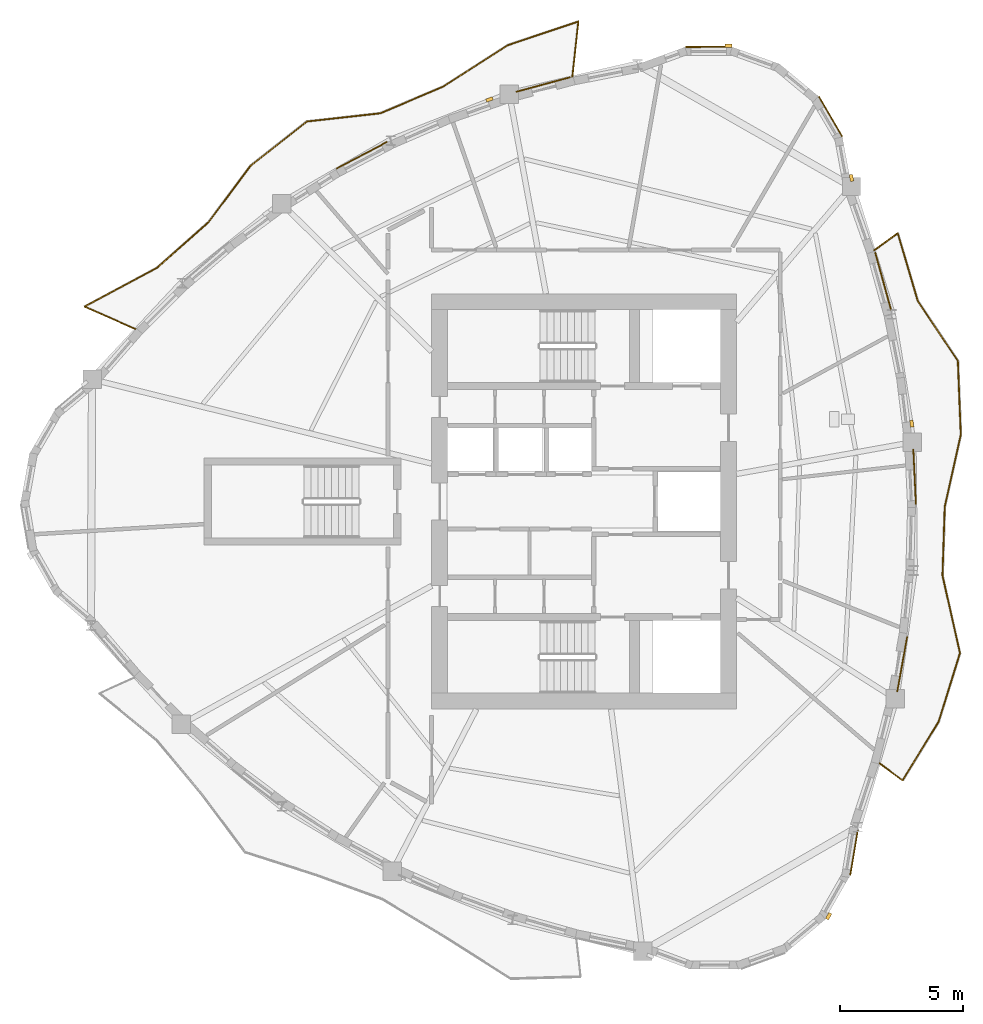
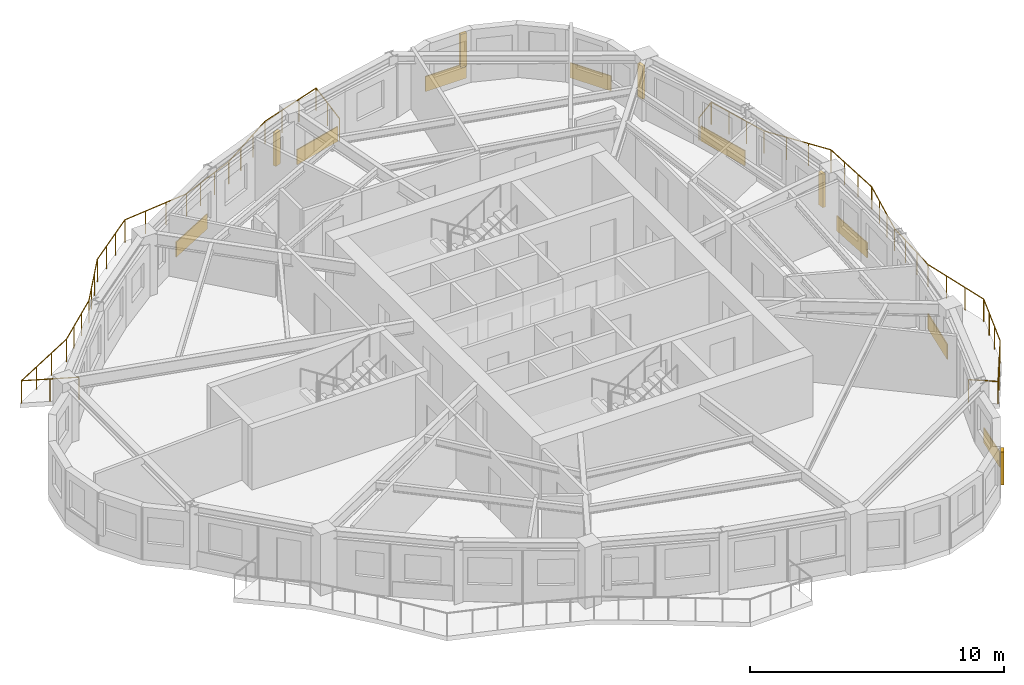
# One storey, part 11 of 12: 8 coverings, 5 shading devices, 2 railings.
"""IFC4 building model written with IfcOpenShell, lengths in metres."""

from ifc_helpers import new_model, si_unit, direction, frame, origin, origin_2d, place, context, subcontext, project, spatial, rectangle, circle, extrude, source, transform, mapped, material, layer, layer_set, type_object, element, save


model = new_model("IFC4")

# Units and contexts
model_context = context("Model", 3, precision=1e-05, world=origin(), true_north=direction((0.0, 1.0)))
body_context = subcontext(model_context, "Body", "Model", "MODEL_VIEW")
ifc_project = project(units=[si_unit("LENGTHUNIT", "METRE"), si_unit("AREAUNIT", "SQUARE_METRE"), si_unit("VOLUMEUNIT", "CUBIC_METRE"), si_unit("PLANEANGLEUNIT", "RADIAN"), si_unit("MASSUNIT", "GRAM", prefix="KILO")], contexts=[model_context])

# Site, building, storey
site_placement = place(None, origin())
site = spatial("IfcSite", under=ifc_project, at=site_placement, CompositionType="ELEMENT")
building_placement = place(site_placement, origin())
building = spatial("IfcBuilding", under=site, at=building_placement, Name="Qafzar Sky-Pleat Residences", CompositionType="ELEMENT")
storey_placement = place(building_placement, frame((0.0, 0.0, 184.199951171875)))
storey = spatial("IfcBuildingStorey", under=building, at=storey_placement, Name="L55", CompositionType="ELEMENT", Elevation=184.199951171875)

# Shading devices
ifc_material_1 = material(Name="Honed Riyadh limestone solar fin", Category="masonry")
ifc_layer_1 = layer(ifc_material_1, 0.139892578125)
ifc_layer_set_1 = layer_set([ifc_layer_1], Name="Honed Riyadh limestone solar fin")
shading_device_type = type_object("IfcShadingDeviceType", Name="SHD-FIN-STONE", PredefinedType="SHUTTER", material=ifc_layer_set_1)
shared_shape_1 = source(origin(), body_context, "Body", "SweptSolid", [
    extrude(rectangle(XDim=0.139892578125, YDim=0.280029296875, at=origin_2d()), origin(), (0.0, 0.0, 1.0), 1.60009765625),
])
for number, where, z_axis, x_axis, name in (
    (1, (40.29931640625, 9.130615234375, 0.60009765625), (0.0, 0.0, 1.0), (0.86845497166, -0.495768052821, 0.0), "L55 Limestone Solar Fin 21"),
    (2, (43.679443359375, 29.165771484375, 0.60009765625), (0.0, 0.0, 1.0), (0.992414501164, 0.122936804413, 0.0), "L55 Limestone Solar Fin 29"),
    (3, (41.230224609375, 39.16259765625, 0.60009765625), (0.0, 0.0, 1.0), (0.983217119636, 0.182439293069, 0.0), "L55 Limestone Solar Fin 33"),
    (4, (36.220458984375, 44.535888671875, 0.60009765625), (0.0, 0.0, 1.0), (-0.002443882984, 0.999997013714, 0.0), "L55 Limestone Solar Fin 37"),
    (5, (26.502685546875, 42.352294921875, 0.60009765625), (0.0, 0.0, 1.0), (-0.329527154717, 0.944146097966, 0.0), "L55 Limestone Solar Fin 41"),
):
    element("IfcShadingDevice", number, at=place(storey_placement, frame(where, z_axis=z_axis, x_axis=x_axis)), inside=storey, type_object=shading_device_type, Name=name, PredefinedType="SHUTTER", context=body_context, shape_type="MappedRepresentation", body=[
        mapped(shared_shape_1, transform((0.0, 0.0, 0.0), x_axis=(1.0, 0.0, 0.0), y_axis=(0.0, 1.0, 0.0), z_axis=(0.0, 0.0, 1.0), scale=1.0)),
    ])

# Coverings
ifc_material_2 = material(Name="Honed Riyadh Tuwaiq limestone cladding", Category="masonry")
ifc_layer_2 = layer(ifc_material_2, 0.044921875)
ifc_layer_set_2 = layer_set([ifc_layer_2], Name="Honed Riyadh Tuwaiq limestone cladding")
covering_type = type_object("IfcCoveringType", Name="COV-CLAD-STONE", PredefinedType="CLADDING", material=ifc_layer_set_2)
shared_shape_2 = source(origin(), body_context, "Body", "SweptSolid", [
    extrude(rectangle(XDim=1.845703125, YDim=0.044921875, at=origin_2d()), origin(), (0.0, 0.0, 1.0), 0.719970703125),
])
covering_1_placement = place(storey_placement, frame((41.3310546875, 11.714599609375, 0.02001953125), z_axis=(0.0, 0.0, 1.0), x_axis=(0.165687701877, 0.98617827265, 0.0)))
element("IfcCovering", 6, at=covering_1_placement, inside=storey, type_object=covering_type, Name="L55 Riyadh Limestone Spandrel Cladding 22", PredefinedType="CLADDING", context=body_context, shape_type="MappedRepresentation", body=[
    mapped(shared_shape_2, transform((0.0, 0.0, 0.0), x_axis=(1.0, 0.0, 0.0), y_axis=(0.0, 1.0, 0.0), z_axis=(0.0, 0.0, 1.0), scale=1.0)),
])
shared_shape_3 = source(origin(), body_context, "Body", "SweptSolid", [
    extrude(rectangle(XDim=1.872802734375, YDim=0.044921875, at=origin_2d()), origin(), (0.0, 0.0, 1.0), 0.719970703125),
])
for number, where, z_axis, x_axis, name in (
    (7, (40.374755859375, 41.65966796875, 0.02001953125), (0.0, 0.0, 1.0), (-0.506268159892, 0.862376107206, 0.0), "L55 Riyadh Limestone Spandrel Cladding 34"),
    (8, (35.41552734375, 44.49072265625, 0.02001953125), (0.0, 0.0, 1.0), (-0.999996996938, -0.002450737482, 0.0), "L55 Riyadh Limestone Spandrel Cladding 37"),
):
    element("IfcCovering", number, at=place(storey_placement, frame(where, z_axis=z_axis, x_axis=x_axis)), inside=storey, type_object=covering_type, Name=name, PredefinedType="CLADDING", context=body_context, shape_type="MappedRepresentation", body=[
        mapped(shared_shape_3, transform((0.0, 0.0, 0.0), x_axis=(1.0, 0.0, 0.0), y_axis=(0.0, 1.0, 0.0), z_axis=(0.0, 0.0, 1.0), scale=1.0)),
    ])

# Railings
ifc_material_3 = material(Name="Laminated glass and bronze steel balustrade", Category="steel")
railing_type = type_object("IfcRailingType", Name="RAIL-BAL-1100", PredefinedType="BALUSTRADE", material=ifc_material_3)
shared_shape_4 = source(origin(), body_context, "Body", "SweptSolid", [
    extrude(circle(Radius=0.02392578125, at=origin_2d()), frame((0.0, 0.0, 1.076171875), z_axis=(0.803344244753, -0.595514923761, 0.0), x_axis=(0.595514923761, 0.803344244753, 0.0)), (0.0, 0.0, 1.0), 1.17822265625),
    extrude(circle(Radius=0.02392578125, at=origin_2d()), frame((0.946533203125, -0.70166015625, 1.076171875), z_axis=(0.524043900996, 0.851691252643, 0.0), x_axis=(-0.851691252643, 0.524043900996, 0.0)), (0.0, 0.0, 1.0), 2.799560546875),
    extrude(circle(Radius=0.02392578125, at=origin_2d()), frame((2.41357421875, 1.6826171875, 1.076171875), z_axis=(0.297102031568, 0.954845737718, 0.0), x_axis=(-0.954845737718, 0.297102031568, 0.0)), (0.0, 0.0, 1.0), 2.927978515625),
    extrude(circle(Radius=0.02392578125, at=origin_2d()), frame((3.283447265625, 4.478271484375, 1.076171875), z_axis=(-0.220191340545, 0.975456699987, 0.0), x_axis=(-0.975456699987, -0.220191340545, 0.0)), (0.0, 0.0, 1.0), 3.233154296875),
    extrude(circle(Radius=0.02392578125, at=origin_2d()), frame((2.571533203125, 7.632080078125, 1.076171875), z_axis=(0.032842031659, 0.999460554978, 0.0), x_axis=(-0.999460554978, 0.032842031659, 0.0)), (0.0, 0.0, 1.0), 2.802490234375),
    extrude(circle(Radius=0.02392578125, at=origin_2d()), frame((2.66357421875, 10.43310546875, 1.076171875), z_axis=(0.218052764742, 0.975936981464, 0.0), x_axis=(-0.975936981464, 0.218052764742, 0.0)), (0.0, 0.0, 1.0), 2.993896484375),
    extrude(circle(Radius=0.02392578125, at=origin_2d()), frame((3.31640625, 13.35498046875, 1.076171875), z_axis=(-0.039563320721, 0.999217065333, 0.0), x_axis=(-0.999217065333, -0.039563320721, 0.0)), (0.0, 0.0, 1.0), 3.011474609375),
    extrude(circle(Radius=0.02392578125, at=origin_2d()), frame((3.197265625, 16.364013671875, 1.076171875), z_axis=(-0.556427990437, 0.830895836708, 0.0), x_axis=(-0.830895836708, -0.556427990437, 0.0)), (0.0, 0.0, 1.0), 2.9326171875),
    extrude(circle(Radius=0.02392578125, at=origin_2d()), frame((1.5654296875, 18.80078125, 1.076171875), z_axis=(-0.283155955018, 0.959073878874, 0.0), x_axis=(-0.959073878874, -0.283155955018, 0.0)), (0.0, 0.0, 1.0), 2.87109375),
    extrude(circle(Radius=0.02392578125, at=origin_2d()), frame((0.75244140625, 21.554443359375, 1.076171875), z_axis=(-0.810712015168, -0.585445154103, 0.0), x_axis=(0.585445154103, -0.810712015168, 0.0)), (0.0, 0.0, 1.0), 1.177978515625),
    extrude(circle(Radius=0.02099609375, at=origin_2d()), origin(), (0.0, 0.0, 1.0), 1.052001953125),
    extrude(circle(Radius=0.02099609375, at=origin_2d()), frame((0.946533203125, -0.70166015625, 0.0)), (0.0, 0.0, 1.0), 1.052001953125),
    extrude(circle(Radius=0.02099609375, at=origin_2d()), frame((1.435546875, 0.093017578125, 0.0)), (0.0, 0.0, 1.0), 1.052001953125),
    extrude(circle(Radius=0.02099609375, at=origin_2d()), frame((1.924560546875, 0.887939453125, 0.0)), (0.0, 0.0, 1.0), 1.052001953125),
    extrude(circle(Radius=0.02099609375, at=origin_2d()), frame((2.41357421875, 1.6826171875, 0.0)), (0.0, 0.0, 1.0), 1.052001953125),
    extrude(circle(Radius=0.02099609375, at=origin_2d()), frame((2.70361328125, 2.614501953125, 0.0)), (0.0, 0.0, 1.0), 1.052001953125),
    extrude(circle(Radius=0.02099609375, at=origin_2d()), frame((2.993408203125, 3.54638671875, 0.0)), (0.0, 0.0, 1.0), 1.052001953125),
    extrude(circle(Radius=0.02099609375, at=origin_2d()), frame((3.283447265625, 4.478271484375, 0.0)), (0.0, 0.0, 1.0), 1.052001953125),
    extrude(circle(Radius=0.02099609375, at=origin_2d()), frame((3.046142578125, 5.529541015625, 0.0)), (0.0, 0.0, 1.0), 1.052001953125),
    extrude(circle(Radius=0.02099609375, at=origin_2d()), frame((2.808837890625, 6.580810546875, 0.0)), (0.0, 0.0, 1.0), 1.052001953125),
    extrude(circle(Radius=0.02099609375, at=origin_2d()), frame((2.571533203125, 7.632080078125, 0.0)), (0.0, 0.0, 1.0), 1.052001953125),
    extrude(circle(Radius=0.02099609375, at=origin_2d()), frame((2.602294921875, 8.565673828125, 0.0)), (0.0, 0.0, 1.0), 1.052001953125),
    extrude(circle(Radius=0.02099609375, at=origin_2d()), frame((2.6328125, 9.49951171875, 0.0)), (0.0, 0.0, 1.0), 1.052001953125),
    extrude(circle(Radius=0.02099609375, at=origin_2d()), frame((2.66357421875, 10.43310546875, 0.0)), (0.0, 0.0, 1.0), 1.052001953125),
    extrude(circle(Radius=0.02099609375, at=origin_2d()), frame((2.881103515625, 11.406982421875, 0.0)), (0.0, 0.0, 1.0), 1.052001953125),
    extrude(circle(Radius=0.02099609375, at=origin_2d()), frame((3.098876953125, 12.381103515625, 0.0)), (0.0, 0.0, 1.0), 1.052001953125),
    extrude(circle(Radius=0.02099609375, at=origin_2d()), frame((3.31640625, 13.35498046875, 0.0)), (0.0, 0.0, 1.0), 1.052001953125),
    extrude(circle(Radius=0.02099609375, at=origin_2d()), frame((3.276611328125, 14.35791015625, 0.0)), (0.0, 0.0, 1.0), 1.052001953125),
    extrude(circle(Radius=0.02099609375, at=origin_2d()), frame((3.237060546875, 15.361083984375, 0.0)), (0.0, 0.0, 1.0), 1.052001953125),
    extrude(circle(Radius=0.02099609375, at=origin_2d()), frame((3.197265625, 16.364013671875, 0.0)), (0.0, 0.0, 1.0), 1.052001953125),
    extrude(circle(Radius=0.02099609375, at=origin_2d()), frame((2.6533203125, 17.17626953125, 0.0)), (0.0, 0.0, 1.0), 1.052001953125),
    extrude(circle(Radius=0.02099609375, at=origin_2d()), frame((2.109375, 17.988525390625, 0.0)), (0.0, 0.0, 1.0), 1.052001953125),
    extrude(circle(Radius=0.02099609375, at=origin_2d()), frame((1.5654296875, 18.80078125, 0.0)), (0.0, 0.0, 1.0), 1.052001953125),
    extrude(circle(Radius=0.02099609375, at=origin_2d()), frame((1.29443359375, 19.71875, 0.0)), (0.0, 0.0, 1.0), 1.052001953125),
    extrude(circle(Radius=0.02099609375, at=origin_2d()), frame((1.0234375, 20.636474609375, 0.0)), (0.0, 0.0, 1.0), 1.052001953125),
    extrude(circle(Radius=0.02099609375, at=origin_2d()), frame((0.75244140625, 21.554443359375, 0.0)), (0.0, 0.0, 1.0), 1.052001953125),
    extrude(circle(Radius=0.02099609375, at=origin_2d()), frame((-0.20263671875, 20.86474609375, 0.0)), (0.0, 0.0, 1.0), 1.052001953125),
])
railing_1_placement = place(storey_placement, frame((42.358154296875, 15.357177734375, 0.0)))
element("IfcRailing", 9, at=railing_1_placement, inside=storey, type_object=railing_type, Name="L55 Pleated Balcony 1 Balustrade", PredefinedType="BALUSTRADE", context=body_context, shape_type="MappedRepresentation", body=[
    mapped(shared_shape_4, transform((0.0, 0.0, 0.0), x_axis=(1.0, 0.0, 0.0), y_axis=(0.0, 1.0, 0.0), z_axis=(0.0, 0.0, 1.0), scale=1.0)),
])
shared_shape_5 = source(origin(), body_context, "Body", "SweptSolid", [
    extrude(circle(Radius=0.02392578125, at=origin_2d()), frame((0.0, 0.0, 1.076171875), z_axis=(0.107941374508, 0.994157261035, 0.0), x_axis=(-0.994157261035, 0.107941374508, 0.0)), (0.0, 0.0, 1.0), 2.270751953125),
    extrude(circle(Radius=0.02392578125, at=origin_2d()), frame((0.2451171875, 2.257568359375, 1.076171875), z_axis=(-0.947766180531, -0.318965933982, 0.0), x_axis=(0.318965933982, -0.947766180531, 0.0)), (0.0, 0.0, 1.0), 3.0478515625),
    extrude(circle(Radius=0.02392578125, at=origin_2d()), frame((-2.6435546875, 1.285400390625, 1.076171875), z_axis=(-0.841132532307, -0.540829051637, 0.0), x_axis=(0.540829051637, -0.841132532307, 0.0)), (0.0, 0.0, 1.0), 3.10791015625),
    extrude(circle(Radius=0.02392578125, at=origin_2d()), frame((-5.2578125, -0.3955078125, 1.076171875), z_axis=(-0.920624997248, -0.390447966371, 0.0), x_axis=(0.390447966371, -0.920624997248, 0.0)), (0.0, 0.0, 1.0), 2.769287109375),
    extrude(circle(Radius=0.02392578125, at=origin_2d()), frame((-7.807373046875, -1.476806640625, 1.076171875), z_axis=(-0.993822240401, -0.11098357754, 0.0), x_axis=(0.11098357754, -0.993822240401, 0.0)), (0.0, 0.0, 1.0), 3.00927734375),
    extrude(circle(Radius=0.02392578125, at=origin_2d()), frame((-10.798095703125, -1.810791015625, 1.076171875), z_axis=(-0.785711050914, -0.618593682858, 0.0), x_axis=(0.618593682858, -0.785711050914, 0.0)), (0.0, 0.0, 1.0), 2.91748046875),
    extrude(circle(Radius=0.02392578125, at=origin_2d()), frame((-13.09033203125, -3.615478515625, 1.076171875), z_axis=(-0.597557989075, -0.801825697825, 0.0), x_axis=(0.801825697825, -0.597557989075, 0.0)), (0.0, 0.0, 1.0), 2.8505859375),
    extrude(circle(Radius=0.02392578125, at=origin_2d()), frame((-14.793701171875, -5.901123046875, 1.076171875), z_axis=(-0.748065530015, -0.663624866023, 0.0), x_axis=(0.663624866023, -0.748065530015, 0.0)), (0.0, 0.0, 1.0), 2.7900390625),
    extrude(circle(Radius=0.02392578125, at=origin_2d()), frame((-16.880859375, -7.752685546875, 1.076171875), z_axis=(-0.8813978737, -0.472374627003, 0.0), x_axis=(0.472374627003, -0.8813978737, 0.0)), (0.0, 0.0, 1.0), 3.3603515625),
    extrude(circle(Radius=0.02392578125, at=origin_2d()), frame((-19.8427734375, -9.340087890625, 1.076171875), z_axis=(0.914894445626, -0.403693142576, 0.0), x_axis=(0.403693142576, 0.914894445626, 0.0)), (0.0, 0.0, 1.0), 2.27099609375),
    extrude(circle(Radius=0.02099609375, at=origin_2d()), origin(), (0.0, 0.0, 1.0), 1.052001953125),
    extrude(circle(Radius=0.02099609375, at=origin_2d()), frame((0.12255859375, 1.12890625, 0.0)), (0.0, 0.0, 1.0), 1.052001953125),
    extrude(circle(Radius=0.02099609375, at=origin_2d()), frame((0.2451171875, 2.257568359375, 0.0)), (0.0, 0.0, 1.0), 1.052001953125),
    extrude(circle(Radius=0.02099609375, at=origin_2d()), frame((-0.7177734375, 1.93359375, 0.0)), (0.0, 0.0, 1.0), 1.052001953125),
    extrude(circle(Radius=0.02099609375, at=origin_2d()), frame((-1.6806640625, 1.609375, 0.0)), (0.0, 0.0, 1.0), 1.052001953125),
    extrude(circle(Radius=0.02099609375, at=origin_2d()), frame((-2.6435546875, 1.285400390625, 0.0)), (0.0, 0.0, 1.0), 1.052001953125),
    extrude(circle(Radius=0.02099609375, at=origin_2d()), frame((-3.514892578125, 0.72509765625, 0.0)), (0.0, 0.0, 1.0), 1.052001953125),
    extrude(circle(Radius=0.02099609375, at=origin_2d()), frame((-4.386474609375, 0.164794921875, 0.0)), (0.0, 0.0, 1.0), 1.052001953125),
    extrude(circle(Radius=0.02099609375, at=origin_2d()), frame((-5.2578125, -0.3955078125, 0.0)), (0.0, 0.0, 1.0), 1.052001953125),
    extrude(circle(Radius=0.02099609375, at=origin_2d()), frame((-6.107666015625, -0.755859375, 0.0)), (0.0, 0.0, 1.0), 1.052001953125),
    extrude(circle(Radius=0.02099609375, at=origin_2d()), frame((-6.95751953125, -1.116455078125, 0.0)), (0.0, 0.0, 1.0), 1.052001953125),
    extrude(circle(Radius=0.02099609375, at=origin_2d()), frame((-7.807373046875, -1.476806640625, 0.0)), (0.0, 0.0, 1.0), 1.052001953125),
    extrude(circle(Radius=0.02099609375, at=origin_2d()), frame((-8.80419921875, -1.588134765625, 0.0)), (0.0, 0.0, 1.0), 1.052001953125),
    extrude(circle(Radius=0.02099609375, at=origin_2d()), frame((-9.80126953125, -1.699462890625, 0.0)), (0.0, 0.0, 1.0), 1.052001953125),
    extrude(circle(Radius=0.02099609375, at=origin_2d()), frame((-10.798095703125, -1.810791015625, 0.0)), (0.0, 0.0, 1.0), 1.052001953125),
    extrude(circle(Radius=0.02099609375, at=origin_2d()), frame((-11.562255859375, -2.412353515625, 0.0)), (0.0, 0.0, 1.0), 1.052001953125),
    extrude(circle(Radius=0.02099609375, at=origin_2d()), frame((-12.326171875, -3.013916015625, 0.0)), (0.0, 0.0, 1.0), 1.052001953125),
    extrude(circle(Radius=0.02099609375, at=origin_2d()), frame((-13.09033203125, -3.615478515625, 0.0)), (0.0, 0.0, 1.0), 1.052001953125),
    extrude(circle(Radius=0.02099609375, at=origin_2d()), frame((-13.658203125, -4.37744140625, 0.0)), (0.0, 0.0, 1.0), 1.052001953125),
    extrude(circle(Radius=0.02099609375, at=origin_2d()), frame((-14.225830078125, -5.13916015625, 0.0)), (0.0, 0.0, 1.0), 1.052001953125),
    extrude(circle(Radius=0.02099609375, at=origin_2d()), frame((-14.793701171875, -5.901123046875, 0.0)), (0.0, 0.0, 1.0), 1.052001953125),
    extrude(circle(Radius=0.02099609375, at=origin_2d()), frame((-15.489501953125, -6.518310546875, 0.0)), (0.0, 0.0, 1.0), 1.052001953125),
    extrude(circle(Radius=0.02099609375, at=origin_2d()), frame((-16.18505859375, -7.135498046875, 0.0)), (0.0, 0.0, 1.0), 1.052001953125),
    extrude(circle(Radius=0.02099609375, at=origin_2d()), frame((-16.880859375, -7.752685546875, 0.0)), (0.0, 0.0, 1.0), 1.052001953125),
    extrude(circle(Radius=0.02099609375, at=origin_2d()), frame((-17.8681640625, -8.28173828125, 0.0)), (0.0, 0.0, 1.0), 1.052001953125),
    extrude(circle(Radius=0.02099609375, at=origin_2d()), frame((-18.85546875, -8.81103515625, 0.0)), (0.0, 0.0, 1.0), 1.052001953125),
    extrude(circle(Radius=0.02099609375, at=origin_2d()), frame((-19.8427734375, -9.340087890625, 0.0)), (0.0, 0.0, 1.0), 1.052001953125),
    extrude(circle(Radius=0.02099609375, at=origin_2d()), frame((-18.803955078125, -9.79833984375, 0.0)), (0.0, 0.0, 1.0), 1.052001953125),
    extrude(circle(Radius=0.02099609375, at=origin_2d()), frame((-17.76513671875, -10.2568359375, 0.0)), (0.0, 0.0, 1.0), 1.052001953125),
])
railing_2_placement = place(storey_placement, frame((29.873291015625, 43.268798828125, 0.0)))
element("IfcRailing", 10, at=railing_2_placement, inside=storey, type_object=railing_type, Name="L55 Pleated Balcony 2 Balustrade", PredefinedType="BALUSTRADE", context=body_context, shape_type="MappedRepresentation", body=[
    mapped(shared_shape_5, transform((0.0, 0.0, 0.0), x_axis=(1.0, 0.0, 0.0), y_axis=(0.0, 1.0, 0.0), z_axis=(0.0, 0.0, 1.0), scale=1.0)),
])

# Coverings
shared_shape_6 = source(origin(), body_context, "Body", "SweptSolid", [
    extrude(rectangle(XDim=2.2734375, YDim=0.044921875, at=origin_2d()), origin(), (0.0, 0.0, 1.0), 0.719970703125),
])
covering_2_placement = place(storey_placement, frame((43.291015625, 19.37890625, 0.02001953125), z_axis=(0.0, 0.0, 1.0), x_axis=(0.177115419767, 0.984190087372, 0.0)))
element("IfcCovering", 11, at=covering_2_placement, inside=storey, type_object=covering_type, Name="L55 Riyadh Limestone Spandrel Cladding 25", PredefinedType="CLADDING", context=body_context, shape_type="MappedRepresentation", body=[
    mapped(shared_shape_6, transform((0.0, 0.0, 0.0), x_axis=(1.0, 0.0, 0.0), y_axis=(0.0, 1.0, 0.0), z_axis=(0.0, 0.0, 1.0), scale=1.0)),
])
shared_shape_7 = source(origin(), body_context, "Body", "SweptSolid", [
    extrude(rectangle(XDim=2.233154296875, YDim=0.044921875, at=origin_2d()), origin(), (0.0, 0.0, 1.0), 0.719970703125),
])
covering_3_placement = place(storey_placement, frame((43.79638671875, 27.00732421875, 0.02001953125), z_axis=(0.0, 0.0, 1.0), x_axis=(-0.047674285956, 0.998862934771, 0.0)))
element("IfcCovering", 12, at=covering_3_placement, inside=storey, type_object=covering_type, Name="L55 Riyadh Limestone Spandrel Cladding 28", PredefinedType="CLADDING", context=body_context, shape_type="MappedRepresentation", body=[
    mapped(shared_shape_7, transform((0.0, 0.0, 0.0), x_axis=(1.0, 0.0, 0.0), y_axis=(0.0, 1.0, 0.0), z_axis=(0.0, 0.0, 1.0), scale=1.0)),
])
shared_shape_8 = source(origin(), body_context, "Body", "SweptSolid", [
    extrude(rectangle(XDim=2.443603515625, YDim=0.044921875, at=origin_2d()), origin(), (0.0, 0.0, 1.0), 0.719970703125),
])
covering_4_placement = place(storey_placement, frame((42.5185546875, 34.948974609375, 0.02001953125), z_axis=(0.0, 0.0, 1.0), x_axis=(-0.266441187036, 0.963851178269, 0.0)))
element("IfcCovering", 13, at=covering_4_placement, inside=storey, type_object=covering_type, Name="L55 Riyadh Limestone Spandrel Cladding 31", PredefinedType="CLADDING", context=body_context, shape_type="MappedRepresentation", body=[
    mapped(shared_shape_8, transform((0.0, 0.0, 0.0), x_axis=(1.0, 0.0, 0.0), y_axis=(0.0, 1.0, 0.0), z_axis=(0.0, 0.0, 1.0), scale=1.0)),
])
shared_shape_9 = source(origin(), body_context, "Body", "SweptSolid", [
    extrude(rectangle(XDim=2.272216796875, YDim=0.044921875, at=origin_2d()), origin(), (0.0, 0.0, 1.0), 0.719970703125),
])
covering_5_placement = place(storey_placement, frame((28.684326171875, 42.958984375, 0.02001953125), z_axis=(0.0, 0.0, 1.0), x_axis=(-0.965446126386, -0.260602718799, 0.0)))
element("IfcCovering", 14, at=covering_5_placement, inside=storey, type_object=covering_type, Name="L55 Riyadh Limestone Spandrel Cladding 40", PredefinedType="CLADDING", context=body_context, shape_type="MappedRepresentation", body=[
    mapped(shared_shape_9, transform((0.0, 0.0, 0.0), x_axis=(1.0, 0.0, 0.0), y_axis=(0.0, 1.0, 0.0), z_axis=(0.0, 0.0, 1.0), scale=1.0)),
])
shared_shape_10 = source(origin(), body_context, "Body", "SweptSolid", [
    extrude(rectangle(XDim=2.323974609375, YDim=0.044921875, at=origin_2d()), origin(), (0.0, 0.0, 1.0), 0.719970703125),
])
covering_6_placement = place(storey_placement, frame((21.314697265625, 40.085693359375, 0.02001953125), z_axis=(0.0, 0.0, 1.0), x_axis=(-0.884382532583, -0.466762826351, 0.0)))
element("IfcCovering", 15, at=covering_6_placement, inside=storey, type_object=covering_type, Name="L55 Riyadh Limestone Spandrel Cladding 43", PredefinedType="CLADDING", context=body_context, shape_type="MappedRepresentation", body=[
    mapped(shared_shape_10, transform((0.0, 0.0, 0.0), x_axis=(1.0, 0.0, 0.0), y_axis=(0.0, 1.0, 0.0), z_axis=(0.0, 0.0, 1.0), scale=1.0)),
])

save(model, "model.ifc")
